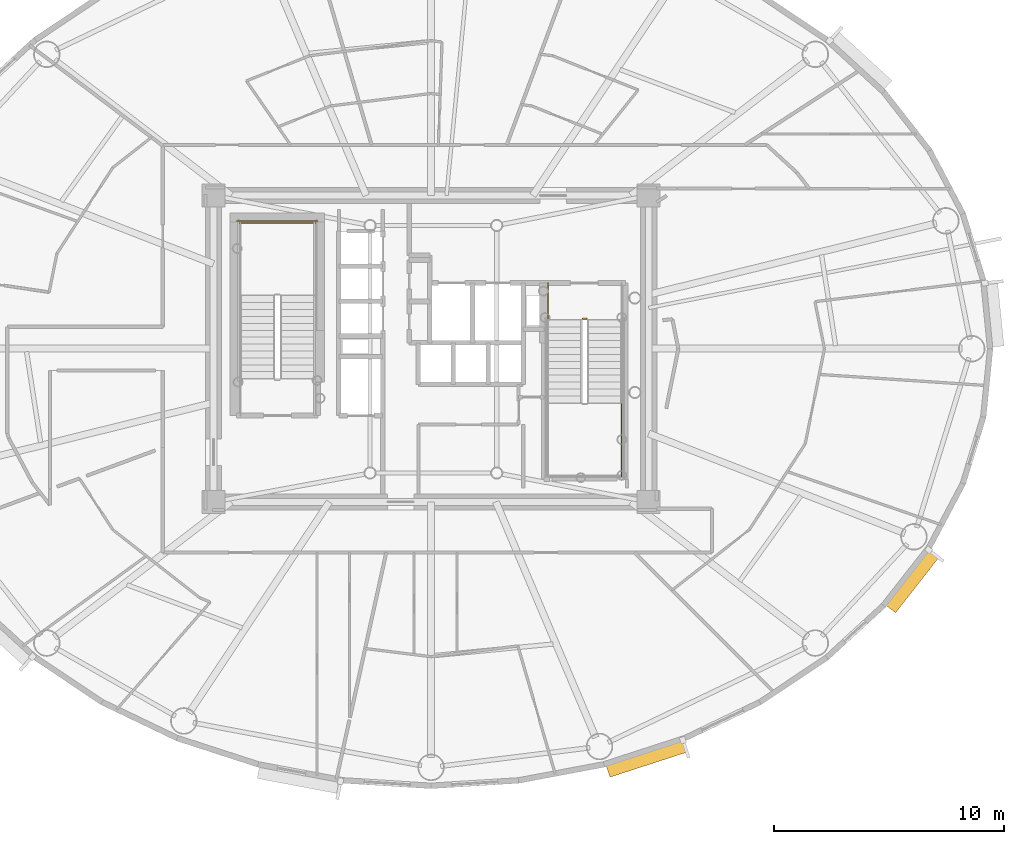
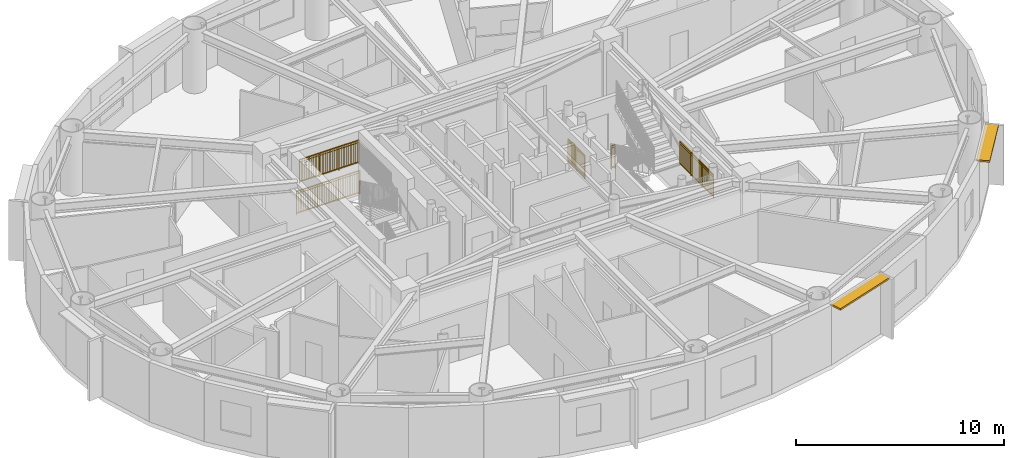
# One storey, part 17 of 19: 5 railings, 2 shading devices.
"""IFC4 building model written with IfcOpenShell, lengths in metres."""

from ifc_helpers import new_model, si_unit, direction, frame, origin, origin_2d, place, context, subcontext, project, spatial, rectangle, extrude, source, transform, mapped, material, layer, layer_set, type_object, element, save


model = new_model("IFC4")

# Units and contexts
model_context = context("Model", 3, precision=1e-05, world=origin(), true_north=direction((0.0, 1.0)))
body_context = subcontext(model_context, "Body", "Model", "MODEL_VIEW")
ifc_project = project(units=[si_unit("LENGTHUNIT", "METRE"), si_unit("AREAUNIT", "SQUARE_METRE"), si_unit("VOLUMEUNIT", "CUBIC_METRE"), si_unit("PLANEANGLEUNIT", "RADIAN"), si_unit("MASSUNIT", "GRAM", prefix="KILO")], contexts=[model_context])

# Site, building, storey
site_placement = place(None, origin())
site = spatial("IfcSite", under=ifc_project, at=site_placement, CompositionType="ELEMENT")
building_placement = place(site_placement, origin())
building = spatial("IfcBuilding", under=site, at=building_placement, Name="Linh Dai School and Residence Tower", CompositionType="ELEMENT")
storey_placement = place(building_placement, frame((0.0, 0.0, 217.800048828125)))
storey = spatial("IfcBuildingStorey", under=building, at=storey_placement, Name="L53", CompositionType="ELEMENT", Elevation=217.800048828125)

# Shading devices
ifc_material_1 = material(Name="Terracotta Ceramic Sunshade", Category="masonry")
ifc_layer = layer(ifc_material_1, 0.10009765625)
ifc_layer_set = layer_set([ifc_layer], Name="Terracotta Ceramic Sunshade")
shading_device_type = type_object("IfcShadingDeviceType", Name="SHD-TC-650", PredefinedType="USERDEFINED", material=ifc_layer_set)
shared_shape_1 = source(origin(), body_context, "Body", "SweptSolid", [
    extrude(rectangle(XDim=3.554443359375, YDim=0.64990234375, at=origin_2d()), origin(), (0.0, 0.0, 1.0), 0.10009765625),
])
shading_device_1_placement = place(storey_placement, frame((45.358154296875, 9.251220703125, 3.3798828125), z_axis=(0.0, 0.0, 1.0), x_axis=(-0.951223997135, -0.308501065272, 0.0)))
element("IfcShadingDevice", 1, at=shading_device_1_placement, inside=storey, type_object=shading_device_type, Name="L53 Terracotta Horizontal Sunshade Band 33", ObjectType="SUNSHADE", PredefinedType="USERDEFINED", context=body_context, shape_type="MappedRepresentation", body=[
    mapped(shared_shape_1, transform((0.0, 0.0, 0.0), x_axis=(1.0, 0.0, 0.0), y_axis=(0.0, 1.0, 0.0), z_axis=(0.0, 0.0, 1.0), scale=1.0)),
])
shared_shape_2 = source(origin(), body_context, "Body", "SweptSolid", [
    extrude(rectangle(XDim=3.095703125, YDim=0.64990234375, at=origin_2d()), origin(), (0.0, 0.0, 1.0), 0.10009765625),
])
shading_device_2_placement = place(storey_placement, frame((56.866455078125, 16.949462890625, 3.3798828125), z_axis=(0.0, 0.0, 1.0), x_axis=(-0.616333598027, -0.787485171888, 0.0)))
element("IfcShadingDevice", 2, at=shading_device_2_placement, inside=storey, type_object=shading_device_type, Name="L53 Terracotta Horizontal Sunshade Band 37", ObjectType="SUNSHADE", PredefinedType="USERDEFINED", context=body_context, shape_type="MappedRepresentation", body=[
    mapped(shared_shape_2, transform((0.0, 0.0, 0.0), x_axis=(1.0, 0.0, 0.0), y_axis=(0.0, 1.0, 0.0), z_axis=(0.0, 0.0, 1.0), scale=1.0)),
])

# Railings
ifc_material_2 = material(Name="Structural Steel S355JR", Category="steel")
railing_type = type_object("IfcRailingType", Name="RL-ST-GUARD-1400", PredefinedType="GUARDRAIL", material=ifc_material_2)
shared_shape_3 = source(origin(), body_context, "Body", "SweptSolid", [
    extrude(rectangle(XDim=0.048095703125, YDim=0.048095703125, at=origin_2d()), frame((0.0, 0.0, 1.3759765625), z_axis=(-1.0, 0.0, 0.0), x_axis=(0.0, -1.0, 0.0)), (0.0, 0.0, 1.0), 3.300048828125),
    extrude(rectangle(XDim=0.048095703125, YDim=0.048095703125, at=origin_2d()), frame((0.0, 0.0, 0.10009765625), z_axis=(-1.0, 0.0, 0.0), x_axis=(0.0, -1.0, 0.0)), (0.0, 0.0, 1.0), 3.300048828125),
    extrude(rectangle(XDim=0.030029296875, YDim=0.030029296875, at=origin_2d()), frame((0.0, 0.0, 1.239990234375), z_axis=(-1.0, 0.0, 0.0), x_axis=(0.0, -1.0, 0.0)), (0.0, 0.0, 1.0), 3.300048828125),
    extrude(rectangle(XDim=0.02001953125, YDim=0.02001953125, at=origin_2d()), frame((-0.09716796875, 0.0, 0.10009765625)), (0.0, 0.0, 1.0), 1.251708984375),
    extrude(rectangle(XDim=0.02001953125, YDim=0.02001953125, at=origin_2d()), frame((-0.194091796875, 0.0, 0.10009765625)), (0.0, 0.0, 1.0), 1.251708984375),
    extrude(rectangle(XDim=0.02001953125, YDim=0.02001953125, at=origin_2d()), frame((-0.291259765625, 0.0, 0.10009765625)), (0.0, 0.0, 1.0), 1.251708984375),
    extrude(rectangle(XDim=0.02001953125, YDim=0.02001953125, at=origin_2d()), frame((-0.38818359375, 0.0, 0.10009765625)), (0.0, 0.0, 1.0), 1.251708984375),
    extrude(rectangle(XDim=0.02001953125, YDim=0.02001953125, at=origin_2d()), frame((-0.4853515625, 0.0, 0.10009765625)), (0.0, 0.0, 1.0), 1.251708984375),
    extrude(rectangle(XDim=0.02001953125, YDim=0.02001953125, at=origin_2d()), frame((-0.582275390625, 0.0, 0.10009765625)), (0.0, 0.0, 1.0), 1.251708984375),
    extrude(rectangle(XDim=0.02001953125, YDim=0.02001953125, at=origin_2d()), frame((-0.679443359375, 0.0, 0.10009765625)), (0.0, 0.0, 1.0), 1.251708984375),
    extrude(rectangle(XDim=0.02001953125, YDim=0.02001953125, at=origin_2d()), frame((-0.7763671875, 0.0, 0.10009765625)), (0.0, 0.0, 1.0), 1.251708984375),
    extrude(rectangle(XDim=0.02001953125, YDim=0.02001953125, at=origin_2d()), frame((-0.87353515625, 0.0, 0.10009765625)), (0.0, 0.0, 1.0), 1.251708984375),
    extrude(rectangle(XDim=0.02001953125, YDim=0.02001953125, at=origin_2d()), frame((-0.970703125, 0.0, 0.10009765625)), (0.0, 0.0, 1.0), 1.251708984375),
    extrude(rectangle(XDim=0.02001953125, YDim=0.02001953125, at=origin_2d()), frame((-1.164794921875, 0.0, 0.10009765625)), (0.0, 0.0, 1.0), 1.251708984375),
    extrude(rectangle(XDim=0.02001953125, YDim=0.02001953125, at=origin_2d()), frame((-1.26171875, 0.0, 0.10009765625)), (0.0, 0.0, 1.0), 1.251708984375),
    extrude(rectangle(XDim=0.02001953125, YDim=0.02001953125, at=origin_2d()), frame((-1.35888671875, 0.0, 0.10009765625)), (0.0, 0.0, 1.0), 1.251708984375),
    extrude(rectangle(XDim=0.02001953125, YDim=0.02001953125, at=origin_2d()), frame((-1.455810546875, 0.0, 0.10009765625)), (0.0, 0.0, 1.0), 1.251708984375),
    extrude(rectangle(XDim=0.02001953125, YDim=0.02001953125, at=origin_2d()), frame((-1.552978515625, 0.0, 0.10009765625)), (0.0, 0.0, 1.0), 1.251708984375),
    extrude(rectangle(XDim=0.02001953125, YDim=0.02001953125, at=origin_2d()), frame((-1.64990234375, 0.0, 0.10009765625)), (0.0, 0.0, 1.0), 1.251708984375),
    extrude(rectangle(XDim=0.02001953125, YDim=0.02001953125, at=origin_2d()), frame((-1.7470703125, 0.0, 0.10009765625)), (0.0, 0.0, 1.0), 1.251708984375),
    extrude(rectangle(XDim=0.02001953125, YDim=0.02001953125, at=origin_2d()), frame((-1.84423828125, 0.0, 0.10009765625)), (0.0, 0.0, 1.0), 1.251708984375),
    extrude(rectangle(XDim=0.02001953125, YDim=0.02001953125, at=origin_2d()), frame((-1.941162109375, 0.0, 0.10009765625)), (0.0, 0.0, 1.0), 1.251708984375),
    extrude(rectangle(XDim=0.02001953125, YDim=0.02001953125, at=origin_2d()), frame((-2.038330078125, 0.0, 0.10009765625)), (0.0, 0.0, 1.0), 1.251708984375),
    extrude(rectangle(XDim=0.02001953125, YDim=0.02001953125, at=origin_2d()), frame((-2.13525390625, 0.0, 0.10009765625)), (0.0, 0.0, 1.0), 1.251708984375),
    extrude(rectangle(XDim=0.02001953125, YDim=0.02001953125, at=origin_2d()), frame((-2.329345703125, 0.0, 0.10009765625)), (0.0, 0.0, 1.0), 1.251708984375),
    extrude(rectangle(XDim=0.02001953125, YDim=0.02001953125, at=origin_2d()), frame((-2.426513671875, 0.0, 0.10009765625)), (0.0, 0.0, 1.0), 1.251708984375),
    extrude(rectangle(XDim=0.02001953125, YDim=0.02001953125, at=origin_2d()), frame((-2.523681640625, 0.0, 0.10009765625)), (0.0, 0.0, 1.0), 1.251708984375),
    extrude(rectangle(XDim=0.02001953125, YDim=0.02001953125, at=origin_2d()), frame((-2.62060546875, 0.0, 0.10009765625)), (0.0, 0.0, 1.0), 1.251708984375),
    extrude(rectangle(XDim=0.02001953125, YDim=0.02001953125, at=origin_2d()), frame((-2.7177734375, 0.0, 0.10009765625)), (0.0, 0.0, 1.0), 1.251708984375),
    extrude(rectangle(XDim=0.02001953125, YDim=0.02001953125, at=origin_2d()), frame((-2.814697265625, 0.0, 0.10009765625)), (0.0, 0.0, 1.0), 1.251708984375),
    extrude(rectangle(XDim=0.02001953125, YDim=0.02001953125, at=origin_2d()), frame((-2.911865234375, 0.0, 0.10009765625)), (0.0, 0.0, 1.0), 1.251708984375),
    extrude(rectangle(XDim=0.02001953125, YDim=0.02001953125, at=origin_2d()), frame((-3.0087890625, 0.0, 0.10009765625)), (0.0, 0.0, 1.0), 1.251708984375),
    extrude(rectangle(XDim=0.02001953125, YDim=0.02001953125, at=origin_2d()), frame((-3.10595703125, 0.0, 0.10009765625)), (0.0, 0.0, 1.0), 1.251708984375),
    extrude(rectangle(XDim=0.02001953125, YDim=0.02001953125, at=origin_2d()), frame((-3.202880859375, 0.0, 0.10009765625)), (0.0, 0.0, 1.0), 1.251708984375),
    extrude(rectangle(XDim=0.0419921875, YDim=0.0419921875, at=origin_2d()), origin(), (0.0, 0.0, 1.0), 1.3759765625),
    extrude(rectangle(XDim=0.0419921875, YDim=0.0419921875, at=origin_2d()), frame((-1.10009765625, 0.0, 0.0)), (0.0, 0.0, 1.0), 1.3759765625),
    extrude(rectangle(XDim=0.0419921875, YDim=0.0419921875, at=origin_2d()), frame((-2.199951171875, 0.0, 0.0)), (0.0, 0.0, 1.0), 1.3759765625),
    extrude(rectangle(XDim=0.0419921875, YDim=0.0419921875, at=origin_2d()), frame((-3.300048828125, 0.0, 0.0)), (0.0, 0.0, 1.0), 1.3759765625),
])
railing_1_placement = place(storey_placement, frame((30.97998046875, 32.449951171875, 1.875)))
element("IfcRailing", 3, at=railing_1_placement, inside=storey, type_object=railing_type, Name="L53 ST1 stair guard 5", PredefinedType="GUARDRAIL", context=body_context, shape_type="MappedRepresentation", body=[
    mapped(shared_shape_3, transform((0.0, 0.0, 0.0), x_axis=(1.0, 0.0, 0.0), y_axis=(0.0, 1.0, 0.0), z_axis=(0.0, 0.0, 1.0), scale=1.0)),
])
shared_shape_4 = source(origin(), body_context, "Body", "SweptSolid", [
    extrude(rectangle(XDim=0.048095703125, YDim=0.048095703125, at=origin_2d()), frame((0.0, 0.0, 1.3759765625), z_axis=(-1.0, 0.0, 0.0), x_axis=(0.0, -1.0, 0.0)), (0.0, 0.0, 1.0), 3.5),
    extrude(rectangle(XDim=0.048095703125, YDim=0.048095703125, at=origin_2d()), frame((0.0, 0.0, 0.10009765625), z_axis=(-1.0, 0.0, 0.0), x_axis=(0.0, -1.0, 0.0)), (0.0, 0.0, 1.0), 3.5),
    extrude(rectangle(XDim=0.030029296875, YDim=0.030029296875, at=origin_2d()), frame((0.0, 0.0, 1.239990234375), z_axis=(-1.0, 0.0, 0.0), x_axis=(0.0, -1.0, 0.0)), (0.0, 0.0, 1.0), 3.5),
    extrude(rectangle(XDim=0.02001953125, YDim=0.02001953125, at=origin_2d()), frame((-0.09716796875, 0.0, 0.10009765625)), (0.0, 0.0, 1.0), 1.251708984375),
    extrude(rectangle(XDim=0.02001953125, YDim=0.02001953125, at=origin_2d()), frame((-0.1943359375, 0.0, 0.10009765625)), (0.0, 0.0, 1.0), 1.251708984375),
    extrude(rectangle(XDim=0.02001953125, YDim=0.02001953125, at=origin_2d()), frame((-0.291748046875, 0.0, 0.10009765625)), (0.0, 0.0, 1.0), 1.251708984375),
    extrude(rectangle(XDim=0.02001953125, YDim=0.02001953125, at=origin_2d()), frame((-0.388916015625, 0.0, 0.10009765625)), (0.0, 0.0, 1.0), 1.251708984375),
    extrude(rectangle(XDim=0.02001953125, YDim=0.02001953125, at=origin_2d()), frame((-0.486083984375, 0.0, 0.10009765625)), (0.0, 0.0, 1.0), 1.251708984375),
    extrude(rectangle(XDim=0.02001953125, YDim=0.02001953125, at=origin_2d()), frame((-0.583251953125, 0.0, 0.10009765625)), (0.0, 0.0, 1.0), 1.251708984375),
    extrude(rectangle(XDim=0.02001953125, YDim=0.02001953125, at=origin_2d()), frame((-0.6806640625, 0.0, 0.10009765625)), (0.0, 0.0, 1.0), 1.251708984375),
    extrude(rectangle(XDim=0.02001953125, YDim=0.02001953125, at=origin_2d()), frame((-0.77783203125, 0.0, 0.10009765625)), (0.0, 0.0, 1.0), 1.251708984375),
    extrude(rectangle(XDim=0.02001953125, YDim=0.02001953125, at=origin_2d()), frame((-0.875, 0.0, 0.10009765625)), (0.0, 0.0, 1.0), 1.251708984375),
    extrude(rectangle(XDim=0.02001953125, YDim=0.02001953125, at=origin_2d()), frame((-0.97216796875, 0.0, 0.10009765625)), (0.0, 0.0, 1.0), 1.251708984375),
    extrude(rectangle(XDim=0.02001953125, YDim=0.02001953125, at=origin_2d()), frame((-1.0693359375, 0.0, 0.10009765625)), (0.0, 0.0, 1.0), 1.251708984375),
    extrude(rectangle(XDim=0.02001953125, YDim=0.02001953125, at=origin_2d()), frame((-1.263916015625, 0.0, 0.10009765625)), (0.0, 0.0, 1.0), 1.251708984375),
    extrude(rectangle(XDim=0.02001953125, YDim=0.02001953125, at=origin_2d()), frame((-1.361083984375, 0.0, 0.10009765625)), (0.0, 0.0, 1.0), 1.251708984375),
    extrude(rectangle(XDim=0.02001953125, YDim=0.02001953125, at=origin_2d()), frame((-1.458251953125, 0.0, 0.10009765625)), (0.0, 0.0, 1.0), 1.251708984375),
    extrude(rectangle(XDim=0.02001953125, YDim=0.02001953125, at=origin_2d()), frame((-1.5556640625, 0.0, 0.10009765625)), (0.0, 0.0, 1.0), 1.251708984375),
    extrude(rectangle(XDim=0.02001953125, YDim=0.02001953125, at=origin_2d()), frame((-1.65283203125, 0.0, 0.10009765625)), (0.0, 0.0, 1.0), 1.251708984375),
    extrude(rectangle(XDim=0.02001953125, YDim=0.02001953125, at=origin_2d()), frame((-1.75, 0.0, 0.10009765625)), (0.0, 0.0, 1.0), 1.251708984375),
    extrude(rectangle(XDim=0.02001953125, YDim=0.02001953125, at=origin_2d()), frame((-1.84716796875, 0.0, 0.10009765625)), (0.0, 0.0, 1.0), 1.251708984375),
    extrude(rectangle(XDim=0.02001953125, YDim=0.02001953125, at=origin_2d()), frame((-1.9443359375, 0.0, 0.10009765625)), (0.0, 0.0, 1.0), 1.251708984375),
    extrude(rectangle(XDim=0.02001953125, YDim=0.02001953125, at=origin_2d()), frame((-2.041748046875, 0.0, 0.10009765625)), (0.0, 0.0, 1.0), 1.251708984375),
    extrude(rectangle(XDim=0.02001953125, YDim=0.02001953125, at=origin_2d()), frame((-2.138916015625, 0.0, 0.10009765625)), (0.0, 0.0, 1.0), 1.251708984375),
    extrude(rectangle(XDim=0.02001953125, YDim=0.02001953125, at=origin_2d()), frame((-2.236083984375, 0.0, 0.10009765625)), (0.0, 0.0, 1.0), 1.251708984375),
    extrude(rectangle(XDim=0.02001953125, YDim=0.02001953125, at=origin_2d()), frame((-2.4306640625, 0.0, 0.10009765625)), (0.0, 0.0, 1.0), 1.251708984375),
    extrude(rectangle(XDim=0.02001953125, YDim=0.02001953125, at=origin_2d()), frame((-2.52783203125, 0.0, 0.10009765625)), (0.0, 0.0, 1.0), 1.251708984375),
    extrude(rectangle(XDim=0.02001953125, YDim=0.02001953125, at=origin_2d()), frame((-2.625, 0.0, 0.10009765625)), (0.0, 0.0, 1.0), 1.251708984375),
    extrude(rectangle(XDim=0.02001953125, YDim=0.02001953125, at=origin_2d()), frame((-2.72216796875, 0.0, 0.10009765625)), (0.0, 0.0, 1.0), 1.251708984375),
    extrude(rectangle(XDim=0.02001953125, YDim=0.02001953125, at=origin_2d()), frame((-2.8193359375, 0.0, 0.10009765625)), (0.0, 0.0, 1.0), 1.251708984375),
    extrude(rectangle(XDim=0.02001953125, YDim=0.02001953125, at=origin_2d()), frame((-2.916748046875, 0.0, 0.10009765625)), (0.0, 0.0, 1.0), 1.251708984375),
    extrude(rectangle(XDim=0.02001953125, YDim=0.02001953125, at=origin_2d()), frame((-3.013916015625, 0.0, 0.10009765625)), (0.0, 0.0, 1.0), 1.251708984375),
    extrude(rectangle(XDim=0.02001953125, YDim=0.02001953125, at=origin_2d()), frame((-3.111083984375, 0.0, 0.10009765625)), (0.0, 0.0, 1.0), 1.251708984375),
    extrude(rectangle(XDim=0.02001953125, YDim=0.02001953125, at=origin_2d()), frame((-3.208251953125, 0.0, 0.10009765625)), (0.0, 0.0, 1.0), 1.251708984375),
    extrude(rectangle(XDim=0.02001953125, YDim=0.02001953125, at=origin_2d()), frame((-3.3056640625, 0.0, 0.10009765625)), (0.0, 0.0, 1.0), 1.251708984375),
    extrude(rectangle(XDim=0.02001953125, YDim=0.02001953125, at=origin_2d()), frame((-3.40283203125, 0.0, 0.10009765625)), (0.0, 0.0, 1.0), 1.251708984375),
    extrude(rectangle(XDim=0.0419921875, YDim=0.0419921875, at=origin_2d()), origin(), (0.0, 0.0, 1.0), 1.3759765625),
    extrude(rectangle(XDim=0.0419921875, YDim=0.0419921875, at=origin_2d()), frame((-1.166748046875, 0.0, 0.0)), (0.0, 0.0, 1.0), 1.3759765625),
    extrude(rectangle(XDim=0.0419921875, YDim=0.0419921875, at=origin_2d()), frame((-2.333251953125, 0.0, 0.0)), (0.0, 0.0, 1.0), 1.3759765625),
    extrude(rectangle(XDim=0.0419921875, YDim=0.0419921875, at=origin_2d()), frame((-3.5, 0.0, 0.0)), (0.0, 0.0, 1.0), 1.3759765625),
])
railing_2_placement = place(storey_placement, frame((31.080078125, 32.550048828125, 0.0)))
element("IfcRailing", 4, at=railing_2_placement, inside=storey, type_object=railing_type, Name="L53 ST1 stair guard 12", PredefinedType="GUARDRAIL", context=body_context, shape_type="MappedRepresentation", body=[
    mapped(shared_shape_4, transform((0.0, 0.0, 0.0), x_axis=(1.0, 0.0, 0.0), y_axis=(0.0, 1.0, 0.0), z_axis=(0.0, 0.0, 1.0), scale=1.0)),
])
shared_shape_5 = source(origin(), body_context, "Body", "SweptSolid", [
    extrude(rectangle(XDim=0.048095703125, YDim=0.048095703125, at=origin_2d()), frame((0.0, 0.0, 1.3759765625), z_axis=(1.0, 0.0, 0.0), x_axis=(0.0, 1.0, 0.0)), (0.0, 0.0, 1.0), 0.199951171875),
    extrude(rectangle(XDim=0.048095703125, YDim=0.048095703125, at=origin_2d()), frame((0.0, 0.0, 0.10009765625), z_axis=(1.0, 0.0, 0.0), x_axis=(0.0, 1.0, 0.0)), (0.0, 0.0, 1.0), 0.199951171875),
    extrude(rectangle(XDim=0.030029296875, YDim=0.030029296875, at=origin_2d()), frame((0.0, 0.0, 1.239990234375), z_axis=(1.0, 0.0, 0.0), x_axis=(0.0, 1.0, 0.0)), (0.0, 0.0, 1.0), 0.199951171875),
    extrude(rectangle(XDim=0.0419921875, YDim=0.0419921875, at=origin_2d()), origin(), (0.0, 0.0, 1.0), 1.3759765625),
    extrude(rectangle(XDim=0.0419921875, YDim=0.0419921875, at=origin_2d()), frame((0.199951171875, 0.0, 0.0)), (0.0, 0.0, 1.0), 1.3759765625),
])
railing_3_placement = place(storey_placement, frame((42.570068359375, 28.300048828125, 0.0)))
element("IfcRailing", 5, at=railing_3_placement, inside=storey, type_object=railing_type, Name="L53 ST2 stair guard 7", PredefinedType="GUARDRAIL", context=body_context, shape_type="MappedRepresentation", body=[
    mapped(shared_shape_5, transform((0.0, 0.0, 0.0), x_axis=(1.0, 0.0, 0.0), y_axis=(0.0, 1.0, 0.0), z_axis=(0.0, 0.0, 1.0), scale=1.0)),
])
shared_shape_6 = source(origin(), body_context, "Body", "SweptSolid", [
    extrude(rectangle(XDim=0.048095703125, YDim=0.048095703125, at=origin_2d()), frame((0.0, 0.0, 1.3759765625), z_axis=(0.0, -1.0, 0.0), x_axis=(1.0, 0.0, 0.0)), (0.0, 0.0, 1.0), 1.60009765625),
    extrude(rectangle(XDim=0.048095703125, YDim=0.048095703125, at=origin_2d()), frame((0.0, 0.0, 0.10009765625), z_axis=(0.0, -1.0, 0.0), x_axis=(1.0, 0.0, 0.0)), (0.0, 0.0, 1.0), 1.60009765625),
    extrude(rectangle(XDim=0.030029296875, YDim=0.030029296875, at=origin_2d()), frame((0.0, 0.0, 1.239990234375), z_axis=(0.0, -1.0, 0.0), x_axis=(1.0, 0.0, 0.0)), (0.0, 0.0, 1.0), 1.60009765625),
    extrude(rectangle(XDim=0.02001953125, YDim=0.02001953125, at=origin_2d()), frame((0.0, -0.09423828125, 0.10009765625)), (0.0, 0.0, 1.0), 1.251708984375),
    extrude(rectangle(XDim=0.02001953125, YDim=0.02001953125, at=origin_2d()), frame((0.0, -0.188232421875, 0.10009765625)), (0.0, 0.0, 1.0), 1.251708984375),
    extrude(rectangle(XDim=0.02001953125, YDim=0.02001953125, at=origin_2d()), frame((0.0, -0.282470703125, 0.10009765625)), (0.0, 0.0, 1.0), 1.251708984375),
    extrude(rectangle(XDim=0.02001953125, YDim=0.02001953125, at=origin_2d()), frame((0.0, -0.37646484375, 0.10009765625)), (0.0, 0.0, 1.0), 1.251708984375),
    extrude(rectangle(XDim=0.02001953125, YDim=0.02001953125, at=origin_2d()), frame((0.0, -0.470703125, 0.10009765625)), (0.0, 0.0, 1.0), 1.251708984375),
    extrude(rectangle(XDim=0.02001953125, YDim=0.02001953125, at=origin_2d()), frame((0.0, -0.564697265625, 0.10009765625)), (0.0, 0.0, 1.0), 1.251708984375),
    extrude(rectangle(XDim=0.02001953125, YDim=0.02001953125, at=origin_2d()), frame((0.0, -0.658935546875, 0.10009765625)), (0.0, 0.0, 1.0), 1.251708984375),
    extrude(rectangle(XDim=0.02001953125, YDim=0.02001953125, at=origin_2d()), frame((0.0, -0.7529296875, 0.10009765625)), (0.0, 0.0, 1.0), 1.251708984375),
    extrude(rectangle(XDim=0.02001953125, YDim=0.02001953125, at=origin_2d()), frame((0.0, -0.84716796875, 0.10009765625)), (0.0, 0.0, 1.0), 1.251708984375),
    extrude(rectangle(XDim=0.02001953125, YDim=0.02001953125, at=origin_2d()), frame((0.0, -0.941162109375, 0.10009765625)), (0.0, 0.0, 1.0), 1.251708984375),
    extrude(rectangle(XDim=0.02001953125, YDim=0.02001953125, at=origin_2d()), frame((0.0, -1.035400390625, 0.10009765625)), (0.0, 0.0, 1.0), 1.251708984375),
    extrude(rectangle(XDim=0.02001953125, YDim=0.02001953125, at=origin_2d()), frame((0.0, -1.12939453125, 0.10009765625)), (0.0, 0.0, 1.0), 1.251708984375),
    extrude(rectangle(XDim=0.02001953125, YDim=0.02001953125, at=origin_2d()), frame((0.0, -1.2236328125, 0.10009765625)), (0.0, 0.0, 1.0), 1.251708984375),
    extrude(rectangle(XDim=0.02001953125, YDim=0.02001953125, at=origin_2d()), frame((0.0, -1.317626953125, 0.10009765625)), (0.0, 0.0, 1.0), 1.251708984375),
    extrude(rectangle(XDim=0.02001953125, YDim=0.02001953125, at=origin_2d()), frame((0.0, -1.411865234375, 0.10009765625)), (0.0, 0.0, 1.0), 1.251708984375),
    extrude(rectangle(XDim=0.02001953125, YDim=0.02001953125, at=origin_2d()), frame((0.0, -1.505859375, 0.10009765625)), (0.0, 0.0, 1.0), 1.251708984375),
    extrude(rectangle(XDim=0.0419921875, YDim=0.0419921875, at=origin_2d()), origin(), (0.0, 0.0, 1.0), 1.3759765625),
    extrude(rectangle(XDim=0.0419921875, YDim=0.0419921875, at=origin_2d()), frame((0.0, -0.800048828125, 0.0)), (0.0, 0.0, 1.0), 1.3759765625),
    extrude(rectangle(XDim=0.0419921875, YDim=0.0419921875, at=origin_2d()), frame((0.0, -1.60009765625, 0.0)), (0.0, 0.0, 1.0), 1.3759765625),
])
railing_4_placement = place(storey_placement, frame((41.070068359375, 29.85009765625, 0.0)))
element("IfcRailing", 6, at=railing_4_placement, inside=storey, type_object=railing_type, Name="L53 ST2 stair guard 8", PredefinedType="GUARDRAIL", context=body_context, shape_type="MappedRepresentation", body=[
    mapped(shared_shape_6, transform((0.0, 0.0, 0.0), x_axis=(1.0, 0.0, 0.0), y_axis=(0.0, 1.0, 0.0), z_axis=(0.0, 0.0, 1.0), scale=1.0)),
])
shared_shape_7 = source(origin(), body_context, "Body", "SweptSolid", [
    extrude(rectangle(XDim=0.048095703125, YDim=0.048095703125, at=origin_2d()), frame((0.0, 0.0, 1.3759765625), z_axis=(0.0, -1.0, 0.0), x_axis=(1.0, 0.0, 0.0)), (0.0, 0.0, 1.0), 3.199951171875),
    extrude(rectangle(XDim=0.048095703125, YDim=0.048095703125, at=origin_2d()), frame((0.0, 0.0, 0.10009765625), z_axis=(0.0, -1.0, 0.0), x_axis=(1.0, 0.0, 0.0)), (0.0, 0.0, 1.0), 3.199951171875),
    extrude(rectangle(XDim=0.030029296875, YDim=0.030029296875, at=origin_2d()), frame((0.0, 0.0, 1.239990234375), z_axis=(0.0, -1.0, 0.0), x_axis=(1.0, 0.0, 0.0)), (0.0, 0.0, 1.0), 3.199951171875),
    extrude(rectangle(XDim=0.02001953125, YDim=0.02001953125, at=origin_2d()), frame((0.0, -0.096923828125, 0.10009765625)), (0.0, 0.0, 1.0), 1.251708984375),
    extrude(rectangle(XDim=0.02001953125, YDim=0.02001953125, at=origin_2d()), frame((0.0, -0.19384765625, 0.10009765625)), (0.0, 0.0, 1.0), 1.251708984375),
    extrude(rectangle(XDim=0.02001953125, YDim=0.02001953125, at=origin_2d()), frame((0.0, -0.291015625, 0.10009765625)), (0.0, 0.0, 1.0), 1.251708984375),
    extrude(rectangle(XDim=0.02001953125, YDim=0.02001953125, at=origin_2d()), frame((0.0, -0.387939453125, 0.10009765625)), (0.0, 0.0, 1.0), 1.251708984375),
    extrude(rectangle(XDim=0.02001953125, YDim=0.02001953125, at=origin_2d()), frame((0.0, -0.48486328125, 0.10009765625)), (0.0, 0.0, 1.0), 1.251708984375),
    extrude(rectangle(XDim=0.02001953125, YDim=0.02001953125, at=origin_2d()), frame((0.0, -0.581787109375, 0.10009765625)), (0.0, 0.0, 1.0), 1.251708984375),
    extrude(rectangle(XDim=0.02001953125, YDim=0.02001953125, at=origin_2d()), frame((0.0, -0.6787109375, 0.10009765625)), (0.0, 0.0, 1.0), 1.251708984375),
    extrude(rectangle(XDim=0.02001953125, YDim=0.02001953125, at=origin_2d()), frame((0.0, -0.775634765625, 0.10009765625)), (0.0, 0.0, 1.0), 1.251708984375),
    extrude(rectangle(XDim=0.02001953125, YDim=0.02001953125, at=origin_2d()), frame((0.0, -0.872802734375, 0.10009765625)), (0.0, 0.0, 1.0), 1.251708984375),
    extrude(rectangle(XDim=0.02001953125, YDim=0.02001953125, at=origin_2d()), frame((0.0, -0.9697265625, 0.10009765625)), (0.0, 0.0, 1.0), 1.251708984375),
    extrude(rectangle(XDim=0.02001953125, YDim=0.02001953125, at=origin_2d()), frame((0.0, -1.16357421875, 0.10009765625)), (0.0, 0.0, 1.0), 1.251708984375),
    extrude(rectangle(XDim=0.02001953125, YDim=0.02001953125, at=origin_2d()), frame((0.0, -1.260498046875, 0.10009765625)), (0.0, 0.0, 1.0), 1.251708984375),
    extrude(rectangle(XDim=0.02001953125, YDim=0.02001953125, at=origin_2d()), frame((0.0, -1.357666015625, 0.10009765625)), (0.0, 0.0, 1.0), 1.251708984375),
    extrude(rectangle(XDim=0.02001953125, YDim=0.02001953125, at=origin_2d()), frame((0.0, -1.45458984375, 0.10009765625)), (0.0, 0.0, 1.0), 1.251708984375),
    extrude(rectangle(XDim=0.02001953125, YDim=0.02001953125, at=origin_2d()), frame((0.0, -1.551513671875, 0.10009765625)), (0.0, 0.0, 1.0), 1.251708984375),
    extrude(rectangle(XDim=0.02001953125, YDim=0.02001953125, at=origin_2d()), frame((0.0, -1.6484375, 0.10009765625)), (0.0, 0.0, 1.0), 1.251708984375),
    extrude(rectangle(XDim=0.02001953125, YDim=0.02001953125, at=origin_2d()), frame((0.0, -1.745361328125, 0.10009765625)), (0.0, 0.0, 1.0), 1.251708984375),
    extrude(rectangle(XDim=0.02001953125, YDim=0.02001953125, at=origin_2d()), frame((0.0, -1.84228515625, 0.10009765625)), (0.0, 0.0, 1.0), 1.251708984375),
    extrude(rectangle(XDim=0.02001953125, YDim=0.02001953125, at=origin_2d()), frame((0.0, -1.939453125, 0.10009765625)), (0.0, 0.0, 1.0), 1.251708984375),
    extrude(rectangle(XDim=0.02001953125, YDim=0.02001953125, at=origin_2d()), frame((0.0, -2.036376953125, 0.10009765625)), (0.0, 0.0, 1.0), 1.251708984375),
    extrude(rectangle(XDim=0.02001953125, YDim=0.02001953125, at=origin_2d()), frame((0.0, -2.230224609375, 0.10009765625)), (0.0, 0.0, 1.0), 1.251708984375),
    extrude(rectangle(XDim=0.02001953125, YDim=0.02001953125, at=origin_2d()), frame((0.0, -2.3271484375, 0.10009765625)), (0.0, 0.0, 1.0), 1.251708984375),
    extrude(rectangle(XDim=0.02001953125, YDim=0.02001953125, at=origin_2d()), frame((0.0, -2.42431640625, 0.10009765625)), (0.0, 0.0, 1.0), 1.251708984375),
    extrude(rectangle(XDim=0.02001953125, YDim=0.02001953125, at=origin_2d()), frame((0.0, -2.521240234375, 0.10009765625)), (0.0, 0.0, 1.0), 1.251708984375),
    extrude(rectangle(XDim=0.02001953125, YDim=0.02001953125, at=origin_2d()), frame((0.0, -2.6181640625, 0.10009765625)), (0.0, 0.0, 1.0), 1.251708984375),
    extrude(rectangle(XDim=0.02001953125, YDim=0.02001953125, at=origin_2d()), frame((0.0, -2.715087890625, 0.10009765625)), (0.0, 0.0, 1.0), 1.251708984375),
    extrude(rectangle(XDim=0.02001953125, YDim=0.02001953125, at=origin_2d()), frame((0.0, -2.81201171875, 0.10009765625)), (0.0, 0.0, 1.0), 1.251708984375),
    extrude(rectangle(XDim=0.02001953125, YDim=0.02001953125, at=origin_2d()), frame((0.0, -2.908935546875, 0.10009765625)), (0.0, 0.0, 1.0), 1.251708984375),
    extrude(rectangle(XDim=0.02001953125, YDim=0.02001953125, at=origin_2d()), frame((0.0, -3.006103515625, 0.10009765625)), (0.0, 0.0, 1.0), 1.251708984375),
    extrude(rectangle(XDim=0.02001953125, YDim=0.02001953125, at=origin_2d()), frame((0.0, -3.10302734375, 0.10009765625)), (0.0, 0.0, 1.0), 1.251708984375),
    extrude(rectangle(XDim=0.0419921875, YDim=0.0419921875, at=origin_2d()), origin(), (0.0, 0.0, 1.0), 1.3759765625),
    extrude(rectangle(XDim=0.0419921875, YDim=0.0419921875, at=origin_2d()), frame((0.0, -1.066650390625, 0.0)), (0.0, 0.0, 1.0), 1.3759765625),
    extrude(rectangle(XDim=0.0419921875, YDim=0.0419921875, at=origin_2d()), frame((0.0, -2.13330078125, 0.0)), (0.0, 0.0, 1.0), 1.3759765625),
    extrude(rectangle(XDim=0.0419921875, YDim=0.0419921875, at=origin_2d()), frame((0.0, -3.199951171875, 0.0)), (0.0, 0.0, 1.0), 1.3759765625),
])
railing_5_placement = place(storey_placement, frame((44.27001953125, 24.64990234375, 1.875)))
element("IfcRailing", 7, at=railing_5_placement, inside=storey, type_object=railing_type, Name="L53 ST2 stair guard 4", PredefinedType="GUARDRAIL", context=body_context, shape_type="MappedRepresentation", body=[
    mapped(shared_shape_7, transform((0.0, 0.0, 0.0), x_axis=(1.0, 0.0, 0.0), y_axis=(0.0, 1.0, 0.0), z_axis=(0.0, 0.0, 1.0), scale=1.0)),
])

save(model, "model.ifc")
